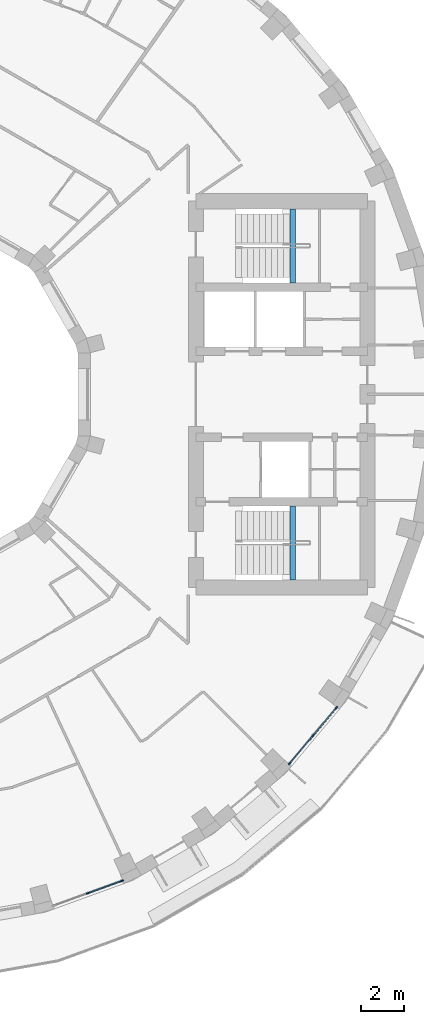
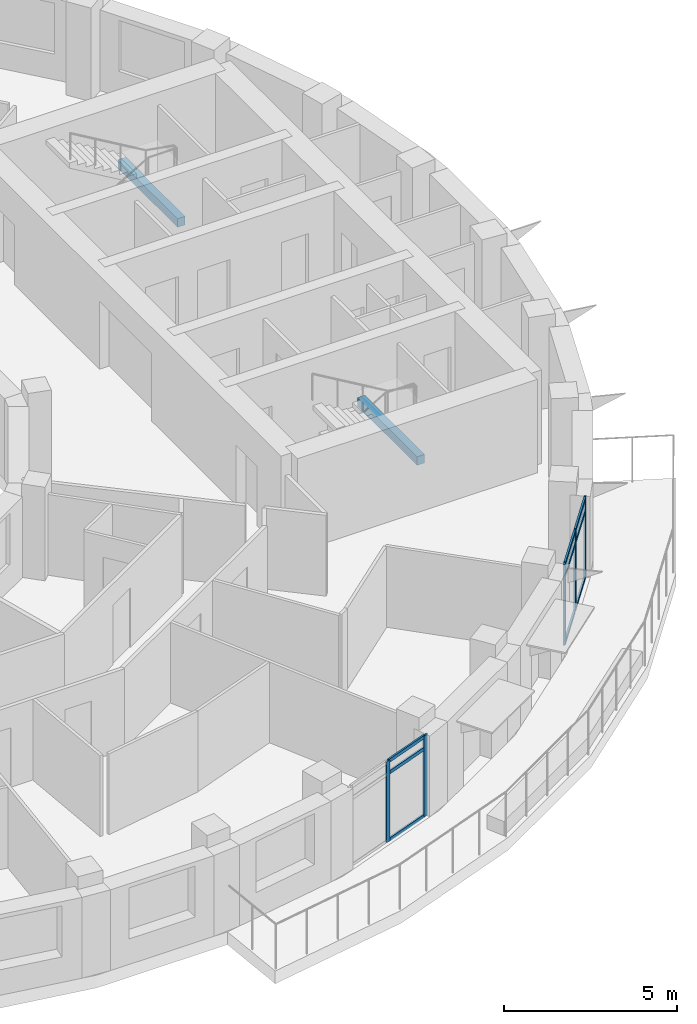
# One storey, part 4 of 15: 14 members, 2 beams, 2 elements without a shape of their own.
"""IFC4 building model written with IfcOpenShell, lengths in metres."""

from ifc_helpers import new_model, si_unit, direction, frame, origin, origin_2d, place, context, subcontext, project, spatial, rectangle, extrude, material, layer, layer_set, material_profile, profile_set, type_object, element, aggregate, save


model = new_model("IFC4")

# Units and contexts
model_context = context("Model", 3, precision=1e-05, world=origin(), true_north=direction((0.0, 1.0)))
body_context = subcontext(model_context, "Body", "Model", "MODEL_VIEW")
ifc_project = project(units=[si_unit("LENGTHUNIT", "METRE"), si_unit("AREAUNIT", "SQUARE_METRE"), si_unit("VOLUMEUNIT", "CUBIC_METRE"), si_unit("PLANEANGLEUNIT", "RADIAN"), si_unit("MASSUNIT", "GRAM", prefix="KILO")], contexts=[model_context])

# Site, building, storey
site_placement = place(None, origin())
site = spatial("IfcSite", under=ifc_project, at=site_placement, CompositionType="ELEMENT")
building_placement = place(site_placement, origin())
building = spatial("IfcBuilding", under=site, at=building_placement, Name="Saqina Gate Tower", CompositionType="ELEMENT")
storey_placement = place(building_placement, frame((0.0, 0.0, 167.39990234375)))
storey = spatial("IfcBuildingStorey", under=building, at=storey_placement, Name="L47", CompositionType="ELEMENT", Elevation=167.39990234375)

# Curtain wall, members
ifc_material_1 = material(Name="Aluminium glazing", Category="aluminium")
ifc_layer = layer(ifc_material_1, 0.159912109375)
ifc_layer_set = layer_set([ifc_layer], Name="CWT-4")
curtain_wall_type = type_object("IfcCurtainWallType", Name="CWT-4", PredefinedType="NOTDEFINED", material=ifc_layer_set)
curtain_wall_1_placement = place(storey_placement, origin())
curtain_wall_1 = element("IfcCurtainWall", 1, at=curtain_wall_1_placement, inside=storey, type_object=curtain_wall_type, Name="Terrace lounge glazing facet 29", PredefinedType="NOTDEFINED")
ifc_material_2 = material(Name="Aluminium", Category="aluminium")
ifc_material_profile_1 = material_profile(ifc_material_2, rectangle(XDim=0.06005859375, YDim=0.159912109375, at=origin_2d()), Name="Aluminium 60x160")
ifc_profile_set_1 = profile_set([ifc_material_profile_1], Name="Aluminium")
member_type_1 = type_object("IfcMemberType", Name="CWT-4M", PredefinedType="MULLION", material=ifc_profile_set_1)
member_1_placement = place(storey_placement, frame((8.466552734375, -23.261962890625, 0.0), z_axis=(0.0, 0.0, 1.0), x_axis=(-0.342024671777, 0.939690972552, 0.0)))
member_1 = element("IfcMember", 2, at=member_1_placement, type_object=member_type_1, Name="CW4-29 mullion 2", PredefinedType="MULLION", context=body_context, shape_type="SweptSolid", body=[
    extrude(rectangle(XDim=0.06005859375, YDim=0.159912109375, at=origin_2d()), origin(), (0.0, 0.0, 1.0), 2.85009765625),
])
member_2_placement = place(storey_placement, frame((10.059326171875, -22.682373046875, 0.0), z_axis=(0.0, 0.0, 1.0), x_axis=(-0.342024671777, 0.939690972552, 0.0)))
member_2 = element("IfcMember", 3, at=member_2_placement, type_object=member_type_1, Name="CW4-29 mullion 3", PredefinedType="MULLION", context=body_context, shape_type="SweptSolid", body=[
    extrude(rectangle(XDim=0.06005859375, YDim=0.159912109375, at=origin_2d()), origin(), (0.0, 0.0, 1.0), 2.85009765625),
])

curtain_wall_2_placement = place(storey_placement, origin())
curtain_wall_2 = element("IfcCurtainWall", 4, at=curtain_wall_2_placement, inside=storey, type_object=curtain_wall_type, Name="Terrace lounge glazing facet 32", PredefinedType="NOTDEFINED")
member_3_placement = place(storey_placement, frame((17.873779296875, -17.21044921875, 0.0), z_axis=(0.0, 0.0, 1.0), x_axis=(-0.766042815286, 0.642789549658, 0.0)))
member_3 = element("IfcMember", 5, at=member_3_placement, type_object=member_type_1, Name="CW4-32 mullion 1", PredefinedType="MULLION", context=body_context, shape_type="SweptSolid", body=[
    extrude(rectangle(XDim=0.06005859375, YDim=0.159912109375, at=origin_2d()), origin(), (0.0, 0.0, 1.0), 2.85009765625),
])
member_4_placement = place(storey_placement, frame((18.96337890625, -15.912109375, 0.0), z_axis=(0.0, 0.0, 1.0), x_axis=(-0.766042815286, 0.642789549658, 0.0)))
member_4 = element("IfcMember", 6, at=member_4_placement, type_object=member_type_1, Name="CW4-32 mullion 2", PredefinedType="MULLION", context=body_context, shape_type="SweptSolid", body=[
    extrude(rectangle(XDim=0.06005859375, YDim=0.159912109375, at=origin_2d()), origin(), (0.0, 0.0, 1.0), 2.85009765625),
])
member_5_placement = place(storey_placement, frame((20.052734375, -14.61376953125, 0.0), z_axis=(0.0, 0.0, 1.0), x_axis=(-0.766042815286, 0.642789549658, 0.0)))
member_5 = element("IfcMember", 7, at=member_5_placement, type_object=member_type_1, Name="CW4-32 mullion 3", PredefinedType="MULLION", context=body_context, shape_type="SweptSolid", body=[
    extrude(rectangle(XDim=0.06005859375, YDim=0.159912109375, at=origin_2d()), origin(), (0.0, 0.0, 1.0), 2.85009765625),
])

# Member
ifc_material_3 = material(Name="Aluminium", Category="aluminium")
ifc_material_profile_2 = material_profile(ifc_material_3, rectangle(XDim=0.06005859375, YDim=0.1201171875, at=origin_2d()), Name="Aluminium 60x120")
ifc_profile_set_2 = profile_set([ifc_material_profile_2], Name="Aluminium")
member_type_2 = type_object("IfcMemberType", Name="CWT-4T", PredefinedType="USERDEFINED", material=ifc_profile_set_2)
member_6_placement = place(storey_placement, frame((8.494873046875, -23.251708984375, 0.030029296875), z_axis=(0.939697454915, 0.342006861373, 0.0), x_axis=(-0.342006861373, 0.939697454915, 0.0)))
member_6 = element("IfcMember", 8, at=member_6_placement, type_object=member_type_2, Name="CW4-29 transom 2.1", ObjectType="TRANSOM", PredefinedType="USERDEFINED", context=body_context, shape_type="SweptSolid", body=[
    extrude(rectangle(XDim=0.06005859375, YDim=0.1201171875, at=origin_2d()), origin(), (0.0, 0.0, 1.0), 1.634765625),
])

member_7_placement = place(storey_placement, frame((8.494873046875, -23.251708984375, 2.400146484375), z_axis=(0.939697454915, 0.342006861373, 0.0), x_axis=(-0.342006861373, 0.939697454915, 0.0)))
member_7 = element("IfcMember", 9, at=member_7_placement, type_object=member_type_2, Name="CW4-29 transom 2.2", ObjectType="TRANSOM", PredefinedType="USERDEFINED", context=body_context, shape_type="SweptSolid", body=[
    extrude(rectangle(XDim=0.06005859375, YDim=0.1201171875, at=origin_2d()), origin(), (0.0, 0.0, 1.0), 1.634765625),
])

member_8_placement = place(storey_placement, frame((8.494873046875, -23.251708984375, 2.820068359375), z_axis=(0.939697454915, 0.342006861373, 0.0), x_axis=(-0.342006861373, 0.939697454915, 0.0)))
member_8 = element("IfcMember", 10, at=member_8_placement, type_object=member_type_2, Name="CW4-29 transom 2.3", ObjectType="TRANSOM", PredefinedType="USERDEFINED", context=body_context, shape_type="SweptSolid", body=[
    extrude(rectangle(XDim=0.06005859375, YDim=0.1201171875, at=origin_2d()), origin(), (0.0, 0.0, 1.0), 1.634765625),
])

aggregate(curtain_wall_1, [member_1, member_2, member_6, member_7, member_8])

member_9_placement = place(storey_placement, frame((17.89306640625, -17.1875, 0.030029296875), z_axis=(0.642824314284, 0.766013642806, 0.0), x_axis=(-0.766013642806, 0.642824314284, 0.0)))
member_9 = element("IfcMember", 11, at=member_9_placement, type_object=member_type_2, Name="CW4-32 transom 1.1", ObjectType="TRANSOM", PredefinedType="USERDEFINED", context=body_context, shape_type="SweptSolid", body=[
    extrude(rectangle(XDim=0.06005859375, YDim=0.1201171875, at=origin_2d()), origin(), (0.0, 0.0, 1.0), 1.635009765625),
])

member_10_placement = place(storey_placement, frame((17.89306640625, -17.1875, 2.400146484375), z_axis=(0.642824314284, 0.766013642806, 0.0), x_axis=(-0.766013642806, 0.642824314284, 0.0)))
member_10 = element("IfcMember", 12, at=member_10_placement, type_object=member_type_2, Name="CW4-32 transom 1.2", ObjectType="TRANSOM", PredefinedType="USERDEFINED", context=body_context, shape_type="SweptSolid", body=[
    extrude(rectangle(XDim=0.06005859375, YDim=0.1201171875, at=origin_2d()), origin(), (0.0, 0.0, 1.0), 1.635009765625),
])

member_11_placement = place(storey_placement, frame((17.89306640625, -17.1875, 2.820068359375), z_axis=(0.642824314284, 0.766013642806, 0.0), x_axis=(-0.766013642806, 0.642824314284, 0.0)))
member_11 = element("IfcMember", 13, at=member_11_placement, type_object=member_type_2, Name="CW4-32 transom 1.3", ObjectType="TRANSOM", PredefinedType="USERDEFINED", context=body_context, shape_type="SweptSolid", body=[
    extrude(rectangle(XDim=0.06005859375, YDim=0.1201171875, at=origin_2d()), origin(), (0.0, 0.0, 1.0), 1.635009765625),
])

member_12_placement = place(storey_placement, frame((18.982666015625, -15.88916015625, 0.030029296875), z_axis=(0.642736683908, 0.766087172037, 0.0), x_axis=(-0.766087172037, 0.642736683908, 0.0)))
member_12 = element("IfcMember", 14, at=member_12_placement, type_object=member_type_2, Name="CW4-32 transom 2.1", ObjectType="TRANSOM", PredefinedType="USERDEFINED", context=body_context, shape_type="SweptSolid", body=[
    extrude(rectangle(XDim=0.06005859375, YDim=0.1201171875, at=origin_2d()), origin(), (0.0, 0.0, 1.0), 1.634765625),
])

member_13_placement = place(storey_placement, frame((18.982666015625, -15.88916015625, 2.400146484375), z_axis=(0.642736683908, 0.766087172037, 0.0), x_axis=(-0.766087172037, 0.642736683908, 0.0)))
member_13 = element("IfcMember", 15, at=member_13_placement, type_object=member_type_2, Name="CW4-32 transom 2.2", ObjectType="TRANSOM", PredefinedType="USERDEFINED", context=body_context, shape_type="SweptSolid", body=[
    extrude(rectangle(XDim=0.06005859375, YDim=0.1201171875, at=origin_2d()), origin(), (0.0, 0.0, 1.0), 1.634765625),
])

member_14_placement = place(storey_placement, frame((18.982666015625, -15.88916015625, 2.820068359375), z_axis=(0.642736683908, 0.766087172037, 0.0), x_axis=(-0.766087172037, 0.642736683908, 0.0)))
member_14 = element("IfcMember", 16, at=member_14_placement, type_object=member_type_2, Name="CW4-32 transom 2.3", ObjectType="TRANSOM", PredefinedType="USERDEFINED", context=body_context, shape_type="SweptSolid", body=[
    extrude(rectangle(XDim=0.06005859375, YDim=0.1201171875, at=origin_2d()), origin(), (0.0, 0.0, 1.0), 1.634765625),
])

aggregate(curtain_wall_2, [member_3, member_4, member_5, member_9, member_10, member_11, member_12, member_13, member_14])

# Beams
ifc_material_4 = material(Name="Concrete C40/50", Category="concrete")
ifc_material_profile_3 = material_profile(ifc_material_4, rectangle(XDim=0.25, YDim=0.300048828125, at=origin_2d()), Name="STAIR LANDING BEAM")
ifc_profile_set_3 = profile_set([ifc_material_profile_3], Name="Concrete C40/50")
beam_type = type_object("IfcBeamType", Name="STAIR LANDING BEAM", PredefinedType="BEAM", material=ifc_profile_set_3)
for number, where, z_axis, x_axis, name in (
    (17, (18.02001953125, 5.199951171875, 1.25), (0.0, 1.0, 0.0), (-1.0, 0.0, 0.0), "EXIT STAIR 1 LANDING BEAM"),
    (18, (18.02001953125, -8.64990234375, 1.25), (0.0, 1.0, 0.0), (-1.0, 0.0, 0.0), "EXIT STAIR 2 LANDING BEAM"),
):
    element("IfcBeam", number, at=place(storey_placement, frame(where, z_axis=z_axis, x_axis=x_axis)), inside=storey, type_object=beam_type, Name=name, PredefinedType="BEAM", context=body_context, shape_type="SweptSolid", body=[
        extrude(rectangle(XDim=0.25, YDim=0.300048828125, at=origin_2d()), origin(), (0.0, 0.0, 1.0), 3.449951171875),
    ])

save(model, "model.ifc")
